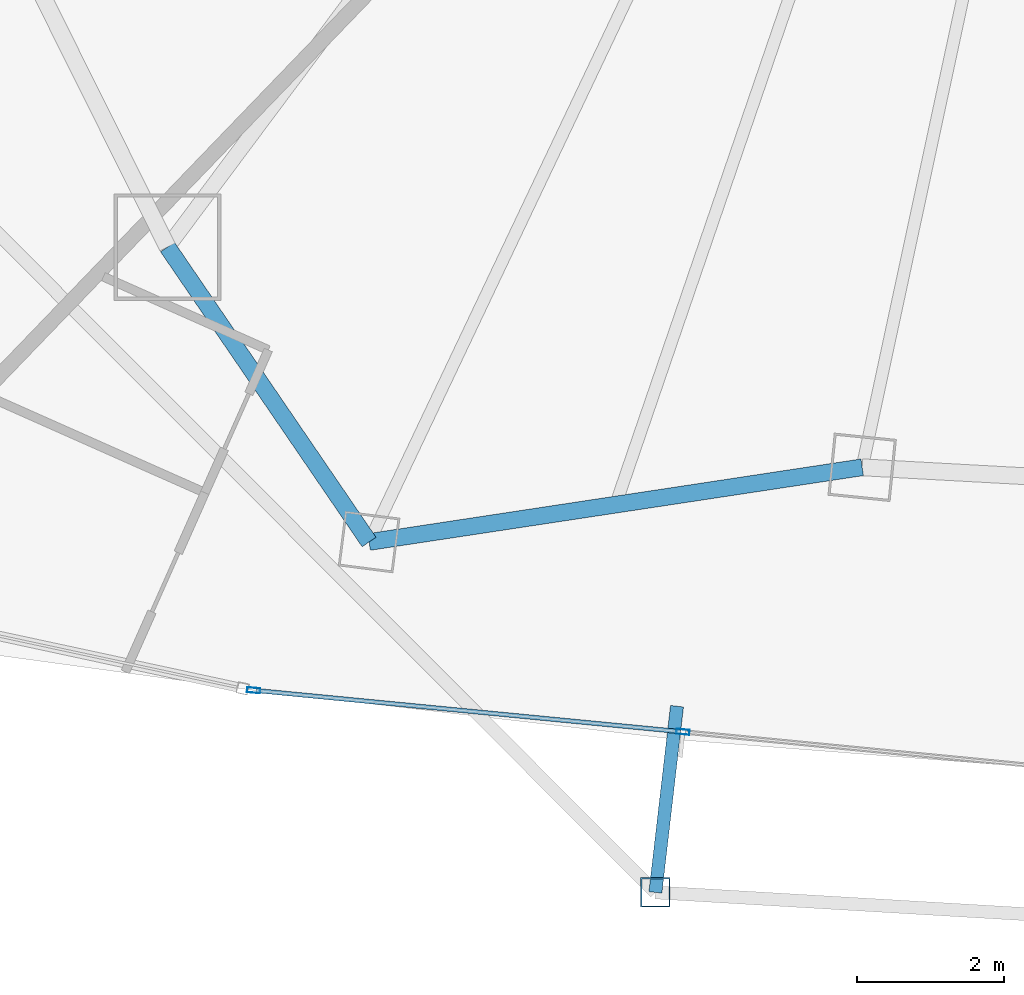
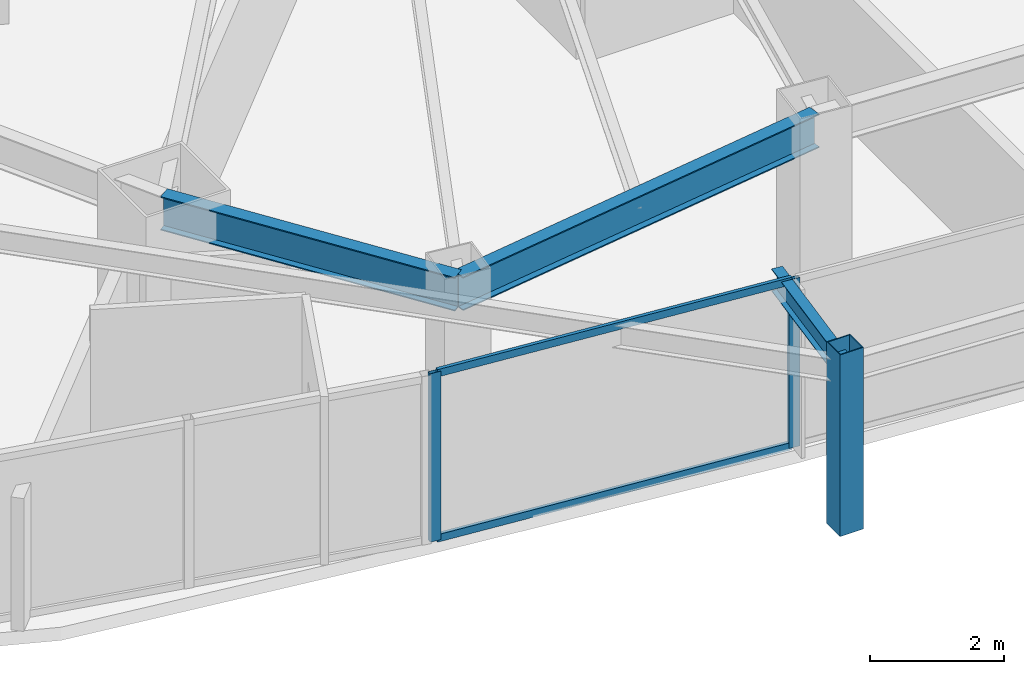
# One storey, part 3 of 31: 5 members, 3 beams, 1 element without a shape of its own.
"""IFC4 building model written with IfcOpenShell, lengths in metres."""

import ifcopenshell
import ifcopenshell.guid

model = None  # the IFC model being written
_history = None  # IfcOwnerHistory: only IFC2X3 demands one
_inside = {}  # id of a spatial element -> (the spatial element, [elements in it])
_under = {}  # id of a project, library or spatial element -> (it, [spatial elements below it])
_declared = {}  # id of a project -> (the project, [libraries it declares])
_typed = {}  # id of a type object -> (the type object, [elements of that type])
_made_of = {}  # id of a material, layer set ... -> (it, [elements and type objects made of it])


def new_model(schema):
    """Start an empty IFC model of exactly this schema.

    Asked for "IFC4X3", IfcOpenShell would pick the latest addendum, in which some entities
    have other attributes; the version numbers below select the first issue.
    IFC2X3 requires an IfcOwnerHistory on every rooted entity: one is made here for all.
    """
    global model, _history
    if schema == "IFC4X3":
        model = ifcopenshell.file(schema_version=(4, 3, 0, 0))
    else:
        model = ifcopenshell.file(schema=schema)
    _inside.clear()
    _under.clear()
    _declared.clear()
    _typed.clear()
    _made_of.clear()
    _history = None
    if model.schema == "IFC2X3":
        org = make("IfcOrganization", Name="unknown")
        user = make(
            "IfcPersonAndOrganization",
            ThePerson=make("IfcPerson", FamilyName="unknown"),
            TheOrganization=org,
        )
        app = make(
            "IfcApplication",
            ApplicationDeveloper=org,
            Version="unknown",
            ApplicationFullName="unknown",
            ApplicationIdentifier="unknown",
        )
        _history = make(
            "IfcOwnerHistory",
            OwningUser=user,
            OwningApplication=app,
            ChangeAction="ADDED",
            CreationDate=0,
        )
    return model


def make(cls, **values):
    """One entity of the class cls with the attributes given. An attribute that is None is left unset."""
    return model.create_entity(
        cls, **{name: value for name, value in values.items() if value is not None}
    )


def rooted(cls, **values):
    """An entity with a GlobalId (a new one), such as an element, a storey or a relation."""
    return make(cls, GlobalId=ifcopenshell.guid.new(), OwnerHistory=_history, **values)


def si_unit(unit_type, name, prefix=None):
    """IfcSIUnit, for example si_unit("LENGTHUNIT", "METRE", prefix="MILLI")."""
    return make("IfcSIUnit", UnitType=unit_type, Prefix=prefix, Name=name)


def assignment(units):
    """IfcUnitAssignment: the units of a project."""
    return None if units is None else make("IfcUnitAssignment", Units=units)


def point(xyz):
    """IfcCartesianPoint."""
    return None if xyz is None else make("IfcCartesianPoint", Coordinates=xyz)


def direction(xyz):
    """IfcDirection."""
    return None if xyz is None else make("IfcDirection", DirectionRatios=xyz)


def frame(location, z_axis=None, x_axis=None):
    """IfcAxis2Placement3D, a coordinate frame: its origin and axes. An axis left out is left unset."""
    return make(
        "IfcAxis2Placement3D",
        Location=point(location),
        Axis=direction(z_axis),
        RefDirection=direction(x_axis),
    )


def frame_2d(location, x_axis=None):
    """IfcAxis2Placement2D, a coordinate frame in the plane: its origin and x axis."""
    return make(
        "IfcAxis2Placement2D", Location=point(location), RefDirection=direction(x_axis)
    )


def origin():
    """The frame at (0, 0, 0) with its axes left unset."""
    return frame((0.0, 0.0, 0.0))


def origin_2d():
    """The frame at (0, 0) in the plane with its x axis left unset."""
    return frame_2d((0.0, 0.0))


def place(relative_to, where):
    """IfcLocalPlacement: puts the frame where relative to a parent placement (None: the world)."""
    return make(
        "IfcLocalPlacement", PlacementRelTo=relative_to, RelativePlacement=where
    )


def context(
    kind, dimensions, precision=None, world=None, true_north=None, identifier=None
):
    """IfcGeometricRepresentationContext, for example the 3D "Model" context."""
    return make(
        "IfcGeometricRepresentationContext",
        ContextIdentifier=identifier,
        ContextType=kind,
        CoordinateSpaceDimension=dimensions,
        Precision=precision,
        WorldCoordinateSystem=world,
        TrueNorth=true_north,
    )


def subcontext(parent, identifier, kind, view, scale=None):
    """IfcGeometricRepresentationSubContext, for example "Body" below "Model"."""
    return make(
        "IfcGeometricRepresentationSubContext",
        ContextIdentifier=identifier,
        ContextType=kind,
        ParentContext=parent,
        TargetScale=scale,
        TargetView=view,
    )


def project(units=None, contexts=None):
    """IfcProject with its units and contexts."""
    return rooted(
        "IfcProject",
        Name="project",
        RepresentationContexts=contexts,
        UnitsInContext=assignment(units),
    )


def spatial(cls, under=None, at=None, **own):
    """A site, building, storey or space (cls), placed at a placement, below another one or the project."""
    s = rooted(cls, ObjectPlacement=at, **own)
    if under is not None:
        _under.setdefault(under.id(), (under, []))[1].append(s)
    return s


def profile(cls, at=None, kind="AREA", **sizes):
    """A parametric profile (cls). Its sizes go by their IFC names, for example OverallWidth=200.0."""
    return make(cls, ProfileType=kind, Position=at, **sizes)


def hollow_rectangle(**sizes):
    """IfcRectangleHollowProfileDef."""
    return profile("IfcRectangleHollowProfileDef", **sizes)


def i_section(**sizes):
    """IfcIShapeProfileDef."""
    return profile("IfcIShapeProfileDef", **sizes)


def extrude(swept, where, along, depth):
    """IfcExtrudedAreaSolid: the profile swept, set in the frame where, extruded along a direction by depth."""
    return make(
        "IfcExtrudedAreaSolid",
        SweptArea=swept,
        Position=where,
        ExtrudedDirection=direction(along),
        Depth=depth,
    )


def shape(context_of_items, identifier, shape_type, items):
    """IfcShapeRepresentation: the items that make up one representation, for example the "Body"."""
    return make(
        "IfcShapeRepresentation",
        ContextOfItems=context_of_items,
        RepresentationIdentifier=identifier,
        RepresentationType=shape_type,
        Items=items,
    )


def material(Name=None, Category=None):
    """IfcMaterial."""
    return make("IfcMaterial", Name=Name, Category=Category)


def layer(
    of_material, thickness, ventilated=None, Name=None, Category=None, Priority=None
):
    """IfcMaterialLayer: one layer of a wall or slab, of a material (None: an air gap)."""
    return make(
        "IfcMaterialLayer",
        Material=of_material,
        LayerThickness=thickness,
        IsVentilated=ventilated,
        Name=Name,
        Category=Category,
        Priority=Priority,
    )


def layer_set(layers, Name=None):
    """IfcMaterialLayerSet."""
    return make("IfcMaterialLayerSet", MaterialLayers=layers, LayerSetName=Name)


def material_profile(
    of_material, cross_section, Name=None, Category=None, Priority=None
):
    """IfcMaterialProfile: a cross section and its material."""
    return make(
        "IfcMaterialProfile",
        Name=Name,
        Material=of_material,
        Profile=cross_section,
        Priority=Priority,
        Category=Category,
    )


def profile_set(profiles, Name=None, composite=None):
    """IfcMaterialProfileSet."""
    return make(
        "IfcMaterialProfileSet",
        Name=Name,
        MaterialProfiles=profiles,
        CompositeProfile=composite,
    )


def made_of(thing, what):
    """Note that an element or type object is made of a material, layer set ...; save() writes the relation."""
    if what is not None:
        _made_of.setdefault(what.id(), (what, []))[1].append(thing)
    return thing


def type_object(cls, material=None, **own):
    """A type object (cls), such as IfcWallType, which elements share."""
    return made_of(rooted(cls, **own), material)


def element(
    cls,
    number,
    at=None,
    inside=None,
    cuts=None,
    type_object=None,
    material=None,
    context=None,
    identifier="Body",
    shape_type=None,
    held_by="IfcProductDefinitionShape",
    body=None,
    shapes=None,
    **own,
):
    """One element of the class cls, such as IfcWall. Its Tag is "e" and its number.

    at: its placement. inside: the storey or other place that contains it. cuts: it is an
    opening in that element (IfcRelVoidsElement). A single representation is given by context,
    identifier, shape_type and body (its items); several are given by shapes. held_by: the class
    of the entity that holds the representations. save() writes the other relations.
    """
    e = rooted(cls, Tag="e%d" % number, ObjectPlacement=at, **own)
    if body is not None:
        shapes = [shape(context, identifier, shape_type, body)]
    if shapes is not None:
        e.Representation = make(held_by, Representations=shapes)
    if inside is not None:
        _inside.setdefault(inside.id(), (inside, []))[1].append(e)
    if cuts is not None:
        rooted(
            "IfcRelVoidsElement", RelatingBuildingElement=cuts, RelatedOpeningElement=e
        )
    if type_object is not None:
        _typed.setdefault(type_object.id(), (type_object, []))[1].append(e)
    return made_of(e, material)


def aggregate(whole, parts):
    """IfcRelAggregates: a whole, such as a stair, and the parts it consists of."""
    return rooted("IfcRelAggregates", RelatingObject=whole, RelatedObjects=parts)


def save(model, path):
    """Write the relations noted so far, then the file.

    IfcRelAggregates (storeys below a building ...), IfcRelContainedInSpatialStructure (elements
    in a storey), IfcRelDefinesByType, IfcRelAssociatesMaterial and IfcRelDeclares: one each for
    every whole, place, type object, material and project.
    """
    for whole, parts in _under.values():
        aggregate(whole, parts)
    for where, things in _inside.values():
        rooted(
            "IfcRelContainedInSpatialStructure",
            RelatedElements=things,
            RelatingStructure=where,
        )
    for kind, things in _typed.values():
        rooted("IfcRelDefinesByType", RelatedObjects=things, RelatingType=kind)
    for what, things in _made_of.values():
        rooted("IfcRelAssociatesMaterial", RelatedObjects=things, RelatingMaterial=what)
    for by, libraries in _declared.values():
        rooted("IfcRelDeclares", RelatingContext=by, RelatedDefinitions=libraries)
    model.write(path)


model = new_model("IFC4")

# Units and contexts
model_context = context("Model", 3, precision=1e-05, world=origin(), true_north=direction((0.0, 1.0)))
body_context = subcontext(model_context, "Body", "Model", "MODEL_VIEW")
ifc_project = project(units=[si_unit("LENGTHUNIT", "METRE"), si_unit("AREAUNIT", "SQUARE_METRE"), si_unit("VOLUMEUNIT", "CUBIC_METRE"), si_unit("PLANEANGLEUNIT", "RADIAN"), si_unit("MASSUNIT", "GRAM", prefix="KILO")], contexts=[model_context])

# Site, building, storey
site_placement = place(None, origin())
site = spatial("IfcSite", under=ifc_project, at=site_placement, CompositionType="ELEMENT")
building_placement = place(site_placement, origin())
building = spatial("IfcBuilding", under=site, at=building_placement, Name="Orvanel Arch Residences", CompositionType="ELEMENT")
storey_placement = place(building_placement, frame((0.0, 0.0, 126.5)))
storey = spatial("IfcBuildingStorey", under=building, at=storey_placement, Name="L35", CompositionType="ELEMENT", Elevation=126.5)

# Curtain wall, members
ifc_material_1 = material(Name="Bronze-anodised aluminium AA6063-T6", Category="aluminium")
ifc_layer = layer(ifc_material_1, 0.179931640625)
ifc_layer_set = layer_set([ifc_layer], Name="Bronze-anodised aluminium AA6063-T6")
curtain_wall_type = type_object("IfcCurtainWallType", Name="CW3-MID-SYS", PredefinedType="NOTDEFINED", material=ifc_layer_set)
curtain_wall_placement = place(storey_placement, origin())
curtain_wall = element("IfcCurtainWall", 1, at=curtain_wall_placement, inside=storey, type_object=curtain_wall_type, Name="L35 CW3-MID-SYS Unitised Curtain Wall", PredefinedType="NOTDEFINED")
ifc_material_profile_1 = material_profile(ifc_material_1, hollow_rectangle(XDim=0.070068359375, YDim=0.179931640625, WallThickness=0.00439453125, at=origin_2d()), Name="ALU180x70x4.5")
ifc_profile_set_1 = profile_set([ifc_material_profile_1], Name="Bronze-anodised aluminium AA6063-T6")
member_type_1 = type_object("IfcMemberType", Name="MUL-180x70", PredefinedType="MULLION", material=ifc_profile_set_1)
member_1_placement = place(storey_placement, frame((15.370849609375, 4.321533203125, 0.0), z_axis=(0.0, 0.0, 1.0), x_axis=(0.096408125648, 0.995341887649, 0.0)))
member_1 = element("IfcMember", 2, at=member_1_placement, type_object=member_type_1, Name="CW-S3 mullion 1", PredefinedType="MULLION", context=body_context, shape_type="SweptSolid", body=[
    extrude(hollow_rectangle(XDim=0.070068359375, YDim=0.179931640625, WallThickness=0.00439453125, at=origin_2d()), origin(), (0.0, 0.0, 1.0), 3.06005859375),
])
member_2_placement = place(storey_placement, frame((21.21044921875, 3.756103515625, 0.0), z_axis=(0.0, 0.0, 1.0), x_axis=(0.096408125648, 0.995341887649, 0.0)))
member_2 = element("IfcMember", 3, at=member_2_placement, type_object=member_type_1, Name="CW-S3 mullion 2", PredefinedType="MULLION", context=body_context, shape_type="SweptSolid", body=[
    extrude(hollow_rectangle(XDim=0.070068359375, YDim=0.179931640625, WallThickness=0.00439453125, at=origin_2d()), origin(), (0.0, 0.0, 1.0), 3.06005859375),
])

# Beams
ifc_material_2 = material(Name="Structural steel AS/NZS 3679.1 Grade 300 (300 MPa)", Category="steel")
ifc_material_profile_2 = material_profile(ifc_material_2, i_section(OverallWidth=0.177978515625, OverallDepth=0.406005859375, WebThickness=0.0078125, FlangeThickness=0.0126953125, at=origin_2d()), Name="410UB59.7")
ifc_profile_set_2 = profile_set([ifc_material_profile_2], Name="Structural steel AS/NZS 3679.1 Grade 300 (300 MPa)")
beam_type_1 = type_object("IfcBeamType", Name="OB-410UB-EXT", PredefinedType="SPANDREL", material=ifc_profile_set_2)
beam_1_placement = place(storey_placement, frame((21.1298828125, 4.10498046875, 2.85693359375), z_axis=(-0.115274576755, -0.993333665972, 0.0), x_axis=(0.993333665972, -0.115274576755, 0.0)))
element("IfcBeam", 4, at=beam_1_placement, inside=storey, type_object=beam_type_1, Name="L35 Outer Frame Radial Tie Beam 05", PredefinedType="SPANDREL", context=body_context, shape_type="SweptSolid", body=[
    extrude(i_section(OverallWidth=0.177978515625, OverallDepth=0.406005859375, WebThickness=0.0078125, FlangeThickness=0.0126953125, at=origin_2d()), origin(), (0.0, 0.0, 1.0), 2.550048828125),
])
ifc_material_profile_3 = material_profile(ifc_material_2, i_section(OverallWidth=0.22900390625, OverallDepth=0.612060546875, WebThickness=0.011962890625, FlangeThickness=0.01953125, at=origin_2d()), Name="610UB125")
ifc_profile_set_3 = profile_set([ifc_material_profile_3], Name="Structural steel AS/NZS 3679.1 Grade 300 (300 MPa)")
beam_type_2 = type_object("IfcBeamType", Name="SP-610UB", PredefinedType="SPANDREL", material=ifc_profile_set_3)
beam_2_placement = place(storey_placement, frame((14.198974609375, 10.35107421875, 2.75390625), z_axis=(0.564251579852, -0.825602903722, 0.0), x_axis=(0.825602903722, 0.564251579852, 0.0)))
element("IfcBeam", 5, at=beam_2_placement, inside=storey, type_object=beam_type_2, Name="L35 Perimeter Spandrel Beam 03", PredefinedType="SPANDREL", context=body_context, shape_type="SweptSolid", body=[
    extrude(i_section(OverallWidth=0.22900390625, OverallDepth=0.612060546875, WebThickness=0.011962890625, FlangeThickness=0.01953125, at=origin_2d()), origin(), (0.0, 0.0, 1.0), 4.859375),
])
beam_3_placement = place(storey_placement, frame((16.94091796875, 6.339111328125, 2.75390625), z_axis=(0.988726323014, 0.149733958002, 0.0), x_axis=(-0.149733958002, 0.988726323014, 0.0)))
element("IfcBeam", 6, at=beam_3_placement, inside=storey, type_object=beam_type_2, Name="L35 Perimeter Spandrel Beam 04", PredefinedType="SPANDREL", context=body_context, shape_type="SweptSolid", body=[
    extrude(i_section(OverallWidth=0.22900390625, OverallDepth=0.612060546875, WebThickness=0.011962890625, FlangeThickness=0.01953125, at=origin_2d()), origin(), (0.0, 0.0, 1.0), 6.784423828125),
])

# Member
ifc_material_3 = material(Name="Structural steel AS/NZS 1163 C450L0 (Grade 450)", Category="steel")
ifc_material_profile_4 = material_profile(ifc_material_3, hollow_rectangle(XDim=0.39990234375, YDim=0.39990234375, WallThickness=0.01611328125, at=origin_2d()), Name="SHS400x400x16")
ifc_profile_set_4 = profile_set([ifc_material_profile_4], Name="Structural steel AS/NZS 1163 C450L0 (Grade 450)")
member_type_2 = type_object("IfcMemberType", Name="ST-400SHS-EXT", PredefinedType="STRUT", material=ifc_profile_set_4)
member_3_placement = place(storey_placement, frame((20.8359375, 1.572021484375, 0.0), z_axis=(0.0, 0.0, 1.0), x_axis=(1.0, 0.0, 0.0)))
element("IfcMember", 7, at=member_3_placement, inside=storey, type_object=member_type_2, Name="L35 Outer Perimeter Frame Post 05", PredefinedType="STRUT", context=body_context, shape_type="SweptSolid", body=[
    extrude(hollow_rectangle(XDim=0.39990234375, YDim=0.39990234375, WallThickness=0.01611328125, at=origin_2d()), origin(), (0.0, 0.0, 1.0), 3.300048828125),
])

ifc_material_profile_5 = material_profile(ifc_material_1, hollow_rectangle(XDim=0.06005859375, YDim=0.135009765625, WallThickness=0.00390625, at=origin_2d()), Name="ALU135x60x4")
ifc_profile_set_5 = profile_set([ifc_material_profile_5], Name="Bronze-anodised aluminium AA6063-T6")
member_type_3 = type_object("IfcMemberType", Name="TRN-135x60", PredefinedType="USERDEFINED", material=ifc_profile_set_5)
member_4_placement = place(storey_placement, frame((15.40576171875, 4.318359375, 0.030029296875), z_axis=(0.995338544366, -0.096442636312, 0.0), x_axis=(0.096442636312, 0.995338544366, 0.0)))
member_4 = element("IfcMember", 8, at=member_4_placement, type_object=member_type_3, Name="CW-S3 transom 1.1", ObjectType="TRANSOM", PredefinedType="USERDEFINED", context=body_context, shape_type="SweptSolid", body=[
    extrude(hollow_rectangle(XDim=0.06005859375, YDim=0.135009765625, WallThickness=0.00390625, at=origin_2d()), origin(), (0.0, 0.0, 1.0), 5.797119140625),
])

member_5_placement = place(storey_placement, frame((15.40576171875, 4.318359375, 3.030029296875), z_axis=(0.995338544366, -0.096442636312, 0.0), x_axis=(0.096442636312, 0.995338544366, 0.0)))
member_5 = element("IfcMember", 9, at=member_5_placement, type_object=member_type_3, Name="CW-S3 transom 1.2", ObjectType="TRANSOM", PredefinedType="USERDEFINED", context=body_context, shape_type="SweptSolid", body=[
    extrude(hollow_rectangle(XDim=0.06005859375, YDim=0.135009765625, WallThickness=0.00390625, at=origin_2d()), origin(), (0.0, 0.0, 1.0), 5.797119140625),
])

aggregate(curtain_wall, [member_1, member_2, member_4, member_5])

save(model, "model.ifc")
